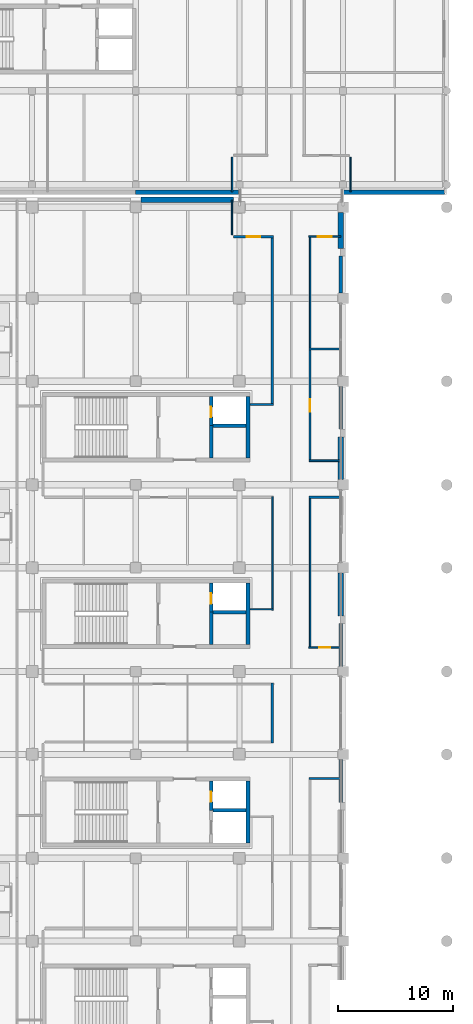
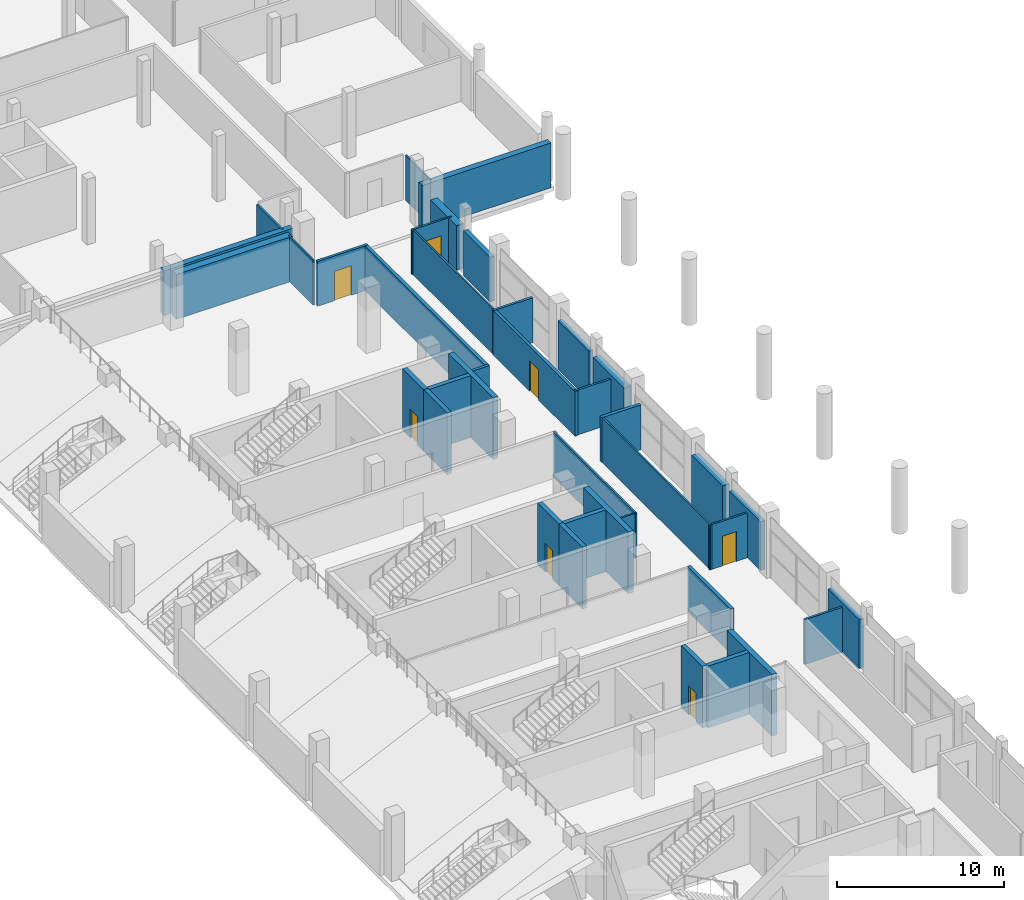
# One storey, part 65 of 100: 39 walls, 7 doors, 7 openings.
"""IFC4 building model written with IfcOpenShell, lengths in metres."""

from ifc_helpers import new_model, si_unit, direction, frame, frame_2d, origin, place, context, subcontext, project, spatial, rectangle, extrude, material, layer, layer_set, type_object, element, fill, save


model = new_model("IFC4")

# Units and contexts
model_context = context("Model", 3, precision=1e-05, world=origin(), true_north=direction((0.0, 1.0)))
body_context = subcontext(model_context, "Body", "Model", "MODEL_VIEW")
ifc_project = project(units=[si_unit("LENGTHUNIT", "METRE"), si_unit("AREAUNIT", "SQUARE_METRE"), si_unit("VOLUMEUNIT", "CUBIC_METRE"), si_unit("PLANEANGLEUNIT", "RADIAN"), si_unit("MASSUNIT", "GRAM", prefix="KILO"), si_unit("THERMODYNAMICTEMPERATUREUNIT", "KELVIN"), si_unit("POWERUNIT", "WATT")], contexts=[model_context])

# Site, building, storey
site_placement = place(None, origin())
site = spatial("IfcSite", under=ifc_project, at=site_placement, CompositionType="ELEMENT")
building_placement = place(site_placement, origin())
building = spatial("IfcBuilding", under=site, at=building_placement, Name="Sindhuravela Promenade Stadium", CompositionType="ELEMENT")
storey_placement = place(building_placement, frame((0.0, 0.0, 4.800048828125)))
storey = spatial("IfcBuildingStorey", under=building, at=storey_placement, Name="L01", CompositionType="ELEMENT", Elevation=4.800048828125)

# Walls
ifc_material_1 = material(Name="Terracotta clay brick masonry (15 MPa)", Category="masonry")
ifc_layer_1 = layer(ifc_material_1, 0.39990234375)
ifc_layer_set_1 = layer_set([ifc_layer_1], Name="Terracotta clay brick masonry (15 MPa)")
wall_type_1 = type_object("IfcWallType", Name="EX-WL-BRK400", PredefinedType="SOLIDWALL", material=ifc_layer_set_1)
wall_1_placement = place(storey_placement, frame((197.933349609375, 126.199951171875, 0.0), z_axis=(0.0, 0.0, 1.0), x_axis=(-1.0, 0.0, 0.0)))
element("IfcWall", 1, at=wall_1_placement, inside=storey, type_object=wall_type_1, Name="Exterior masonry wall EW03 Pavilion NE L01", PredefinedType="SOLIDWALL", context=body_context, shape_type="SweptSolid", body=[
    extrude(rectangle(XDim=8.933349609375, YDim=0.39990234375, at=frame_2d((4.466796875, 0.0))), origin(), (0.0, 0.0, 1.0), 3.280029296875),
])
ifc_layer_2 = layer(ifc_material_1, 0.419921875)
ifc_layer_set_2 = layer_set([ifc_layer_2], Name="Terracotta clay brick masonry (15 MPa)")
wall_type_2 = type_object("IfcWallType", Name="EX-WL-BRK420", PredefinedType="SOLIDWALL", material=ifc_layer_set_2)
wall_2_placement = place(storey_placement, frame((215.800048828125, 126.199951171875, 0.0), z_axis=(0.0, 0.0, 1.0), x_axis=(-1.0, 0.0, 0.0)))
element("IfcWall", 2, at=wall_2_placement, inside=storey, type_object=wall_type_2, Name="Exterior masonry wall EW02 Pavilion NE L01", PredefinedType="SOLIDWALL", context=body_context, shape_type="SweptSolid", body=[
    extrude(rectangle(XDim=8.933349609375, YDim=0.419921875, at=frame_2d((4.466796875, 0.0))), origin(), (0.0, 0.0, 1.0), 3.280029296875),
])
ifc_material_2 = material(Name="Dholpur sandstone ashlar (45 MPa)", Category="masonry")
ifc_layer_3 = layer(ifc_material_2, 0.2900390625)
ifc_layer_set_3 = layer_set([ifc_layer_3], Name="Dholpur sandstone ashlar (45 MPa)")
wall_type_3 = type_object("IfcWallType", Name="EX-WL-SND290", PredefinedType="SOLIDWALL", material=ifc_layer_set_3)
for number, where, z_axis, x_axis, name in (
    (3, (206.800048828125, 109.344970703125, 0.0), (0.0, 0.0, 1.0), (0.0, -1.0, 0.0), "Exterior masonry wall EW10 EAST L01"),
    (4, (206.800048828125, 76.945068359375, 0.0), (0.0, 0.0, 1.0), (0.0, -1.0, 0.0), "Exterior masonry wall EW10 EAST L01"),
):
    element("IfcWall", number, at=place(storey_placement, frame(where, z_axis=z_axis, x_axis=x_axis)), inside=storey, type_object=wall_type_3, Name=name, PredefinedType="SOLIDWALL", context=body_context, shape_type="SweptSolid", body=[
        extrude(rectangle(XDim=3.715087890625, YDim=0.2900390625, at=frame_2d((1.857421875, 0.0))), origin(), (0.0, 0.0, 1.0), 3.579833984375),
    ])
ifc_layer_4 = layer(ifc_material_2, 0.31005859375)
ifc_layer_set_4 = layer_set([ifc_layer_4], Name="Dholpur sandstone ashlar (45 MPa)")
wall_type_4 = type_object("IfcWallType", Name="EX-WL-SND310", PredefinedType="SOLIDWALL", material=ifc_layer_set_4)
wall_3_placement = place(storey_placement, frame((206.800048828125, 120.669921875, 0.0), z_axis=(0.0, 0.0, 1.0), x_axis=(0.0, -1.0, 0.0)))
element("IfcWall", 5, at=wall_3_placement, inside=storey, type_object=wall_type_4, Name="Exterior masonry wall EW09 EAST L01", PredefinedType="SOLIDWALL", context=body_context, shape_type="SweptSolid", body=[
    extrude(rectangle(XDim=3.21484375, YDim=0.31005859375, at=frame_2d((1.607421875, 0.0))), origin(), (0.0, 0.0, 1.0), 3.280029296875),
])
wall_4_placement = place(storey_placement, frame((206.800048828125, 88.77001953125, 0.0), z_axis=(0.0, 0.0, 1.0), x_axis=(0.0, -1.0, 0.0)))
element("IfcWall", 6, at=wall_4_placement, inside=storey, type_object=wall_type_4, Name="Exterior masonry wall EW09 EAST L01", PredefinedType="SOLIDWALL", context=body_context, shape_type="SweptSolid", body=[
    extrude(rectangle(XDim=3.715087890625, YDim=0.31005859375, at=frame_2d((1.857421875, 0.0))), origin(), (0.0, 0.0, 1.0), 3.579833984375),
])
ifc_layer_5 = layer(ifc_material_2, 0.47998046875)
ifc_layer_set_5 = layer_set([ifc_layer_5], Name="Dholpur sandstone ashlar (45 MPa)")
wall_type_5 = type_object("IfcWallType", Name="EX-WL-SND480", PredefinedType="SOLIDWALL", material=ifc_layer_set_5)
wall_5_placement = place(storey_placement, frame((206.800048828125, 124.445068359375, 0.0), z_axis=(0.0, 0.0, 1.0), x_axis=(0.0, -1.0, 0.0)))
element("IfcWall", 7, at=wall_5_placement, inside=storey, type_object=wall_type_5, Name="Exterior masonry wall EW08 EAST L01", PredefinedType="SOLIDWALL", context=body_context, shape_type="SweptSolid", body=[
    extrude(rectangle(XDim=3.114990234375, YDim=0.47998046875, at=frame_2d((1.5576171875, 0.0))), origin(), (0.0, 0.0, 1.0), 3.280029296875),
])
wall_6_placement = place(storey_placement, frame((206.800048828125, 93.14501953125, 0.0), z_axis=(0.0, 0.0, 1.0), x_axis=(0.0, -1.0, 0.0)))
element("IfcWall", 8, at=wall_6_placement, inside=storey, type_object=wall_type_5, Name="Exterior masonry wall EW08 EAST L01", PredefinedType="SOLIDWALL", context=body_context, shape_type="SweptSolid", body=[
    extrude(rectangle(XDim=3.715087890625, YDim=0.47998046875, at=frame_2d((1.857421875, 0.0))), origin(), (0.0, 0.0, 1.0), 3.579833984375),
])
ifc_layer_6 = layer(ifc_material_2, 0.5)
ifc_layer_set_6 = layer_set([ifc_layer_6], Name="Dholpur sandstone ashlar (45 MPa)")
wall_type_6 = type_object("IfcWallType", Name="EX-WL-SND500", PredefinedType="SOLIDWALL", material=ifc_layer_set_6)
wall_7_placement = place(storey_placement, frame((189.455078125, 125.550048828125, 0.0), z_axis=(0.0, 0.0, 1.0), x_axis=(1.0, 0.0, 0.0)))
element("IfcWall", 9, at=wall_7_placement, inside=storey, type_object=wall_type_6, Name="Exterior masonry wall EW07 EAST L01", PredefinedType="SOLIDWALL", context=body_context, shape_type="SweptSolid", body=[
    extrude(rectangle(XDim=8.0400390625, YDim=0.5, at=frame_2d((4.02001953125, 0.0))), origin(), (0.0, 0.0, 1.0), 3.280029296875),
])
wall_8_placement = place(storey_placement, frame((206.800048828125, 104.969970703125, 0.0), z_axis=(0.0, 0.0, 1.0), x_axis=(0.0, -1.0, 0.0)))
element("IfcWall", 10, at=wall_8_placement, inside=storey, type_object=wall_type_6, Name="Exterior masonry wall EW07 EAST L01", PredefinedType="SOLIDWALL", context=body_context, shape_type="SweptSolid", body=[
    extrude(rectangle(XDim=3.715087890625, YDim=0.5, at=frame_2d((1.857421875, 0.0))), origin(), (0.0, 0.0, 1.0), 3.579833984375),
])
ifc_material_3 = material(Name="Fire-rated gypsum partition board", Category="gypsum")
ifc_layer_7 = layer(ifc_material_3, 0.110107421875)
ifc_layer_set_7 = layer_set([ifc_layer_7], Name="Fire-rated gypsum partition board")
wall_type_7 = type_object("IfcWallType", Name="IN-WL-PAR110", PredefinedType="PARTITIONING", material=ifc_layer_set_7)
wall_9_placement = place(storey_placement, frame((197.360107421875, 125.510009765625, 0.0), z_axis=(0.0, 0.0, 1.0), x_axis=(0.0, -1.0, 0.0)))
element("IfcWall", 11, at=wall_9_placement, inside=storey, type_object=wall_type_7, Name="Interior partition IW06 EAST L01", PredefinedType="PARTITIONING", context=body_context, shape_type="SweptSolid", body=[
    extrude(rectangle(XDim=3.010009765625, YDim=0.110107421875, at=frame_2d((1.5048828125, 0.0))), origin(), (0.0, 0.0, 1.0), 3.280029296875),
])
wall_10_placement = place(storey_placement, frame((200.93994140625, 90.006103515625, 0.0), z_axis=(0.0, 0.0, 1.0), x_axis=(-1.0, 0.0, 0.0)))
element("IfcWall", 12, at=wall_10_placement, inside=storey, type_object=wall_type_7, Name="Interior partition IW06 EAST L01", PredefinedType="PARTITIONING", context=body_context, shape_type="SweptSolid", body=[
    extrude(rectangle(XDim=2.012939453125, YDim=0.110107421875, at=frame_2d((1.00634765625, 0.0))), origin(), (0.0, 0.0, 1.0), 3.280029296875),
])
wall_11_placement = place(storey_placement, frame((204.139892578125, 86.610107421875, 0.0), z_axis=(0.0, 0.0, 1.0), x_axis=(0.0, 1.0, 0.0)))
element("IfcWall", 13, at=wall_11_placement, inside=storey, type_object=wall_type_7, Name="Interior partition IW06 EAST L01", PredefinedType="PARTITIONING", context=body_context, shape_type="SweptSolid", body=[
    extrude(rectangle(XDim=13.179931640625, YDim=0.110107421875, at=frame_2d((6.58984375, 0.0))), origin(), (0.0, 0.0, 1.0), 3.280029296875),
])
wall_12_placement = place(storey_placement, frame((204.139892578125, 112.655029296875, 0.0), z_axis=(0.0, 0.0, 1.0), x_axis=(0.0, 1.0, 0.0)))
element("IfcWall", 14, at=wall_12_placement, inside=storey, type_object=wall_type_7, Name="Interior partition IW06 EAST L01", PredefinedType="PARTITIONING", context=body_context, shape_type="SweptSolid", body=[
    extrude(rectangle(XDim=9.764892578125, YDim=0.110107421875, at=frame_2d((4.88232421875, 0.0))), origin(), (0.0, 0.0, 1.0), 3.280029296875),
])
wall_13_placement = place(storey_placement, frame((207.639892578125, 126.239990234375, 0.0), z_axis=(0.0, 0.0, 1.0), x_axis=(0.0, 1.0, 0.0)))
element("IfcWall", 15, at=wall_13_placement, inside=storey, type_object=wall_type_7, Name="Interior partition IW06 Pavilion NE L01", PredefinedType="PARTITIONING", context=body_context, shape_type="SweptSolid", body=[
    extrude(rectangle(XDim=3.010009765625, YDim=0.110107421875, at=frame_2d((1.5048828125, 0.0))), origin(), (0.0, 0.0, 1.0), 3.280029296875),
])
ifc_layer_8 = layer(ifc_material_3, 0.1298828125)
ifc_layer_set_8 = layer_set([ifc_layer_8], Name="Fire-rated gypsum partition board")
wall_type_8 = type_object("IfcWallType", Name="IN-WL-PAR130", PredefinedType="PARTITIONING", material=ifc_layer_set_8)
wall_14_placement = place(storey_placement, frame((200.860107421875, 99.7900390625, 0.0), z_axis=(0.0, 0.0, 1.0), x_axis=(0.0, -1.0, 0.0)))
element("IfcWall", 16, at=wall_14_placement, inside=storey, type_object=wall_type_8, Name="Interior partition IW05 EAST L01", PredefinedType="PARTITIONING", context=body_context, shape_type="SweptSolid", body=[
    extrude(rectangle(XDim=9.864013671875, YDim=0.1298828125, at=frame_2d((4.93212890625, 0.0))), origin(), (0.0, 0.0, 1.0), 3.280029296875),
])

# Wall, opening, door
wall_15_placement = place(storey_placement, frame((204.02001953125, 86.68994140625, 0.0), z_axis=(0.0, 0.0, 1.0), x_axis=(1.0, 0.0, 0.0)))
wall_15 = element("IfcWall", 17, at=wall_15_placement, inside=storey, type_object=wall_type_8, Name="Corridor partition IW05 Accessible WC East L01", PredefinedType="PARTITIONING", context=body_context, shape_type="SweptSolid", body=[
    extrude(rectangle(XDim=2.780029296875, YDim=0.1298828125, at=frame_2d((1.39013671875, 0.0))), origin(), (0.0, 0.0, 1.0), 3.280029296875),
])
opening_1_placement = place(wall_15_placement, frame((0.9150390625, 0.0, 0.0)))
opening_1 = element("IfcOpeningElement", 18, at=opening_1_placement, cuts=wall_15, Name="Opening ID10", PredefinedType="OPENING", context=body_context, shape_type="SweptSolid", body=[
    extrude(rectangle(XDim=0.949951171875, YDim=2.179931640625, at=frame_2d((0.47509765625, 1.08984375))), frame((0.0, 0.074951171875, 0.0), z_axis=(0.0, -1.0, 0.0), x_axis=(1.0, 0.0, 0.0)), (0.0, 0.0, 1.0), 0.14990234375),
])
ifc_material_4 = material(Name="Architectural teak timber leaf", Category="wood")
door_type_1 = type_object("IfcDoorType", Name="DR-INT-950x2180", OperationType="NOTDEFINED", PredefinedType="DOOR", material=ifc_material_4)
door_1_placement = place(opening_1_placement, origin())
door_1 = element("IfcDoor", 19, at=door_1_placement, inside=storey, type_object=door_type_1, Name="Accessible WC East L01 door", OperationType="SINGLE_SWING_LEFT", OverallHeight=2.179931640625, OverallWidth=0.949951171875, PredefinedType="DOOR", context=body_context, shape_type="SweptSolid", body=[
    extrude(rectangle(XDim=0.949951171875, YDim=2.179931640625, at=frame_2d((0.47509765625, 1.08984375))), frame((0.0, 0.02490234375, 0.0), z_axis=(0.0, -1.0, 0.0), x_axis=(1.0, 0.0, 0.0)), (0.0, 0.0, 1.0), 0.050048828125),
])
fill(opening_1, door_1)

wall_16_placement = place(storey_placement, frame((206.800048828125, 122.340087890625, 0.0), z_axis=(0.0, 0.0, 1.0), x_axis=(-1.0, 0.0, 0.0)))
wall_16 = element("IfcWall", 20, at=wall_16_placement, inside=storey, type_object=wall_type_8, Name="Corridor partition IW05 Promenade Upper Cafe Veranda 4", PredefinedType="PARTITIONING", context=body_context, shape_type="SweptSolid", body=[
    extrude(rectangle(XDim=2.780029296875, YDim=0.1298828125, at=frame_2d((1.39013671875, 0.0))), origin(), (0.0, 0.0, 1.0), 3.280029296875),
])
opening_2_placement = place(wall_16_placement, frame((0.764892578125, 0.0, 0.0)))
opening_2 = element("IfcOpeningElement", 21, at=opening_2_placement, cuts=wall_16, Name="Opening ID04", PredefinedType="OPENING", context=body_context, shape_type="SweptSolid", body=[
    extrude(rectangle(XDim=1.25, YDim=2.14990234375, at=frame_2d((0.625, 1.074951171875))), frame((0.0, 0.074951171875, 0.0), z_axis=(0.0, -1.0, 0.0), x_axis=(1.0, 0.0, 0.0)), (0.0, 0.0, 1.0), 0.14990234375),
])
door_type_2 = type_object("IfcDoorType", Name="DR-INT-1250x2150", OperationType="NOTDEFINED", PredefinedType="DOOR", material=ifc_material_4)
door_2_placement = place(opening_2_placement, origin())
door_2 = element("IfcDoor", 22, at=door_2_placement, inside=storey, type_object=door_type_2, Name="Promenade Upper Cafe Veranda 4 door", OperationType="SINGLE_SWING_LEFT", OverallHeight=2.14990234375, OverallWidth=1.25, PredefinedType="DOOR", context=body_context, shape_type="SweptSolid", body=[
    extrude(rectangle(XDim=1.25, YDim=2.14990234375, at=frame_2d((0.625, 1.074951171875))), frame((0.0, 0.02490234375, 0.0), z_axis=(0.0, -1.0, 0.0), x_axis=(1.0, 0.0, 0.0)), (0.0, 0.0, 1.0), 0.050048828125),
])
fill(opening_2, door_2)

# Walls
wall_17_placement = place(storey_placement, frame((197.360107421875, 129.25, 0.0), z_axis=(0.0, 0.0, 1.0), x_axis=(0.0, -1.0, 0.0)))
element("IfcWall", 23, at=wall_17_placement, inside=storey, type_object=wall_type_8, Name="Interior partition IW05 Pavilion NE L01", PredefinedType="PARTITIONING", context=body_context, shape_type="SweptSolid", body=[
    extrude(rectangle(XDim=3.010009765625, YDim=0.1298828125, at=frame_2d((1.5048828125, 0.0))), origin(), (0.0, 0.0, 1.0), 3.280029296875),
])
ifc_layer_9 = layer(ifc_material_3, 0.14990234375)
ifc_layer_set_9 = layer_set([ifc_layer_9], Name="Fire-rated gypsum partition board")
wall_type_9 = type_object("IfcWallType", Name="IN-WL-PAR150", PredefinedType="PARTITIONING", material=ifc_layer_set_9)
for number, where, z_axis, x_axis, name in (
    (24, (204.06005859375, 75.31005859375, 0.0), (0.0, 0.0, 1.0), (1.0, 0.0, 0.0), "Interior partition IW04 EAST L01"),
    (25, (206.760009765625, 102.889892578125, 0.0), (0.0, 0.0, 1.0), (-1.0, 0.0, 0.0), "Interior partition IW04 EAST L01"),
):
    element("IfcWall", number, at=place(storey_placement, frame(where, z_axis=z_axis, x_axis=x_axis)), inside=storey, type_object=wall_type_9, Name=name, PredefinedType="PARTITIONING", context=body_context, shape_type="SweptSolid", body=[
        extrude(rectangle(XDim=2.699951171875, YDim=0.14990234375, at=frame_2d((1.35009765625, 0.0))), origin(), (0.0, 0.0, 1.0), 3.280029296875),
    ])

# Wall, opening, door
ifc_layer_10 = layer(ifc_material_3, 0.175048828125)
ifc_layer_set_10 = layer_set([ifc_layer_10], Name="Fire-rated gypsum partition board")
wall_type_10 = type_object("IfcWallType", Name="IN-WL-PAR175", PredefinedType="PARTITIONING", material=ifc_layer_set_10)
wall_18_placement = place(storey_placement, frame((200.97998046875, 122.340087890625, 0.0), z_axis=(0.0, 0.0, 1.0), x_axis=(-1.0, 0.0, 0.0)))
wall_18 = element("IfcWall", 26, at=wall_18_placement, inside=storey, type_object=wall_type_10, Name="Corridor partition IW03 Sports Museum Main Exhibition Hall", PredefinedType="PARTITIONING", context=body_context, shape_type="SweptSolid", body=[
    extrude(rectangle(XDim=3.5, YDim=0.175048828125, at=frame_2d((1.75, 0.0))), origin(), (0.0, 0.0, 1.0), 3.280029296875),
])
opening_3_placement = place(wall_18_placement, frame((1.175048828125, 0.0, 0.0)))
opening_3 = element("IfcOpeningElement", 27, at=opening_3_placement, cuts=wall_18, Name="Opening ID05", PredefinedType="OPENING", context=body_context, shape_type="SweptSolid", body=[
    extrude(rectangle(XDim=1.14990234375, YDim=2.14990234375, at=frame_2d((0.574951171875, 1.074951171875))), frame((0.0, 0.097412109375, 0.0), z_axis=(0.0, -1.0, 0.0), x_axis=(1.0, 0.0, 0.0)), (0.0, 0.0, 1.0), 0.195068359375),
])
door_type_3 = type_object("IfcDoorType", Name="DR-INT-1150x2150", OperationType="NOTDEFINED", PredefinedType="DOOR", material=ifc_material_4)
door_3_placement = place(opening_3_placement, origin())
door_3 = element("IfcDoor", 28, at=door_3_placement, inside=storey, type_object=door_type_3, Name="Sports Museum Main Exhibition Hall door", OperationType="SINGLE_SWING_LEFT", OverallHeight=2.14990234375, OverallWidth=1.14990234375, PredefinedType="DOOR", context=body_context, shape_type="SweptSolid", body=[
    extrude(rectangle(XDim=1.14990234375, YDim=2.14990234375, at=frame_2d((0.574951171875, 1.074951171875))), frame((0.0, 0.02490234375, 0.0), z_axis=(0.0, -1.0, 0.0), x_axis=(1.0, 0.0, 0.0)), (0.0, 0.0, 1.0), 0.050048828125),
])
fill(opening_3, door_3)

# Walls
wall_19_placement = place(storey_placement, frame((204.06005859375, 112.614990234375, 0.0), z_axis=(0.0, 0.0, 1.0), x_axis=(1.0, 0.0, 0.0)))
element("IfcWall", 29, at=wall_19_placement, inside=storey, type_object=wall_type_10, Name="Interior partition IW03 EAST L01", PredefinedType="PARTITIONING", context=body_context, shape_type="SweptSolid", body=[
    extrude(rectangle(XDim=2.70703125, YDim=0.175048828125, at=frame_2d((1.353515625, 0.0))), origin(), (0.0, 0.0, 1.0), 3.280029296875),
])
ifc_layer_11 = layer(ifc_material_3, 0.195068359375)
ifc_layer_set_11 = layer_set([ifc_layer_11], Name="Fire-rated gypsum partition board")
wall_type_11 = type_object("IfcWallType", Name="IN-WL-PAR195", PredefinedType="PARTITIONING", material=ifc_layer_set_11)
wall_20_placement = place(storey_placement, frame((200.93994140625, 107.778076171875, 0.0), z_axis=(0.0, 0.0, 1.0), x_axis=(-1.0, 0.0, 0.0)))
element("IfcWall", 30, at=wall_20_placement, inside=storey, type_object=wall_type_11, Name="Interior partition IW02 EAST L01", PredefinedType="PARTITIONING", context=body_context, shape_type="SweptSolid", body=[
    extrude(rectangle(XDim=2.012939453125, YDim=0.195068359375, at=frame_2d((1.00634765625, 0.0))), origin(), (0.0, 0.0, 1.0), 3.280029296875),
])

# Wall, opening, door
wall_21_placement = place(storey_placement, frame((204.139892578125, 112.614990234375, 0.0), z_axis=(0.0, 0.0, 1.0), x_axis=(0.0, -1.0, 0.0)))
wall_21 = element("IfcWall", 31, at=wall_21_placement, inside=storey, type_object=wall_type_11, Name="Corridor partition IW02 Supporters Hall East 3", PredefinedType="PARTITIONING", context=body_context, shape_type="SweptSolid", body=[
    extrude(rectangle(XDim=9.844970703125, YDim=0.195068359375, at=frame_2d((4.92236328125, 0.0))), origin(), (0.0, 0.0, 1.0), 3.280029296875),
])
opening_4_placement = place(wall_21_placement, frame((4.362548828125, 0.0, 0.0)))
opening_4 = element("IfcOpeningElement", 32, at=opening_4_placement, cuts=wall_21, Name="Opening ID13", PredefinedType="OPENING", context=body_context, shape_type="SweptSolid", body=[
    extrude(rectangle(XDim=1.1201171875, YDim=2.219970703125, at=frame_2d((0.56005859375, 1.10986328125))), frame((0.0, 0.107421875, 0.0), z_axis=(0.0, -1.0, 0.0), x_axis=(1.0, 0.0, 0.0)), (0.0, 0.0, 1.0), 0.215087890625),
])
door_type_4 = type_object("IfcDoorType", Name="DR-INT-1120x2220", OperationType="NOTDEFINED", PredefinedType="DOOR", material=ifc_material_4)
door_4_placement = place(opening_4_placement, origin())
door_4 = element("IfcDoor", 33, at=door_4_placement, inside=storey, type_object=door_type_4, Name="Supporters Hall East 3 door", OperationType="SINGLE_SWING_RIGHT", OverallHeight=2.219970703125, OverallWidth=1.1201171875, PredefinedType="DOOR", context=body_context, shape_type="SweptSolid", body=[
    extrude(rectangle(XDim=1.1201171875, YDim=2.219970703125, at=frame_2d((0.56005859375, 1.10986328125))), frame((0.0, 0.02490234375, 0.0), z_axis=(0.0, -1.0, 0.0), x_axis=(1.0, 0.0, 0.0)), (0.0, 0.0, 1.0), 0.050048828125),
])
fill(opening_4, door_4)

# Walls
ifc_layer_12 = layer(ifc_material_3, 0.219970703125)
ifc_layer_set_12 = layer_set([ifc_layer_12], Name="Fire-rated gypsum partition board")
wall_type_12 = type_object("IfcWallType", Name="IN-WL-PAR220", PredefinedType="PARTITIONING", material=ifc_layer_set_12)
wall_22_placement = place(storey_placement, frame((200.860107421875, 122.419921875, 0.0), z_axis=(0.0, 0.0, 1.0), x_axis=(0.0, -1.0, 0.0)))
element("IfcWall", 34, at=wall_22_placement, inside=storey, type_object=wall_type_12, Name="Interior partition IW01 EAST L01", PredefinedType="PARTITIONING", context=body_context, shape_type="SweptSolid", body=[
    extrude(rectangle(XDim=14.721923828125, YDim=0.219970703125, at=frame_2d((7.36083984375, 0.0))), origin(), (0.0, 0.0, 1.0), 3.280029296875),
])
wall_23_placement = place(storey_placement, frame((200.860107421875, 83.590087890625, 0.0), z_axis=(0.0, 0.0, 1.0), x_axis=(0.0, -1.0, 0.0)))
element("IfcWall", 35, at=wall_23_placement, inside=storey, type_object=wall_type_12, Name="Interior partition IW01 EAST L01", PredefinedType="PARTITIONING", context=body_context, shape_type="SweptSolid", body=[
    extrude(rectangle(XDim=5.18017578125, YDim=0.219970703125, at=frame_2d((2.590087890625, 0.0))), origin(), (0.0, 0.0, 1.0), 3.280029296875),
])
wall_24_placement = place(storey_placement, frame((204.06005859375, 99.7099609375, 0.0), z_axis=(0.0, 0.0, 1.0), x_axis=(1.0, 0.0, 0.0)))
element("IfcWall", 36, at=wall_24_placement, inside=storey, type_object=wall_type_12, Name="Interior partition IW01 EAST L01", PredefinedType="PARTITIONING", context=body_context, shape_type="SweptSolid", body=[
    extrude(rectangle(XDim=2.70703125, YDim=0.219970703125, at=frame_2d((1.353515625, 0.0))), origin(), (0.0, 0.0, 1.0), 3.280029296875),
])

# Wall, opening, door
ifc_material_5 = material(Name="Concrete M50", Category="concrete")
ifc_layer_13 = layer(ifc_material_5, 0.300048828125)
ifc_layer_set_13 = layer_set([ifc_layer_13], Name="Concrete M50")
wall_type_13 = type_object("IfcWallType", Name="RC-SW-300", PredefinedType="SHEAR", material=ifc_layer_set_13)
wall_25_placement = place(storey_placement, frame((195.550048828125, 72.550048828125, 0.0), z_axis=(0.0, 0.0, 1.0), x_axis=(0.0, 1.0, 0.0)))
wall_25 = element("IfcWall", 37, at=wall_25_placement, inside=storey, type_object=wall_type_13, Name="Core shear wall C06-RSR (L01)", PredefinedType="SHEAR", context=body_context, shape_type="SweptSolid", body=[
    extrude(rectangle(XDim=2.52490234375, YDim=0.300048828125, at=frame_2d((1.262451171875, 0.0))), origin(), (0.0, 0.0, 1.0), 4.52001953125),
])
opening_5_placement = place(wall_25_placement, frame((0.72509765625, 0.0, 0.0)))
opening_5 = element("IfcOpeningElement", 38, at=opening_5_placement, cuts=wall_25, Name="Opening FD03", PredefinedType="OPENING", context=body_context, shape_type="SweptSolid", body=[
    extrude(rectangle(XDim=0.89990234375, YDim=2.10009765625, at=frame_2d((0.449951171875, 1.050048828125))), frame((0.0, 0.159912109375, 0.0), z_axis=(0.0, -1.0, 0.0), x_axis=(1.0, 0.0, 0.0)), (0.0, 0.0, 1.0), 0.320068359375),
])
ifc_material_6 = material(Name="Architectural wrought steel E350", Category="steel")
door_type_5 = type_object("IfcDoorType", Name="DR-RSR-900x2100", OperationType="NOTDEFINED", PredefinedType="DOOR", material=ifc_material_6)
door_5_placement = place(opening_5_placement, origin())
door_5 = element("IfcDoor", 39, at=door_5_placement, inside=storey, type_object=door_type_5, Name="Riser shaft access door C06 (L01)", OperationType="SINGLE_SWING_RIGHT", OverallHeight=2.10009765625, OverallWidth=0.89990234375, PredefinedType="DOOR", context=body_context, shape_type="SweptSolid", body=[
    extrude(rectangle(XDim=0.89990234375, YDim=2.10009765625, at=frame_2d((0.449951171875, 1.050048828125))), frame((0.0, 0.02490234375, 0.0), z_axis=(0.0, -1.0, 0.0), x_axis=(1.0, 0.0, 0.0)), (0.0, 0.0, 1.0), 0.050048828125),
])
fill(opening_5, door_5)

# Walls
wall_26_placement = place(storey_placement, frame((195.699951171875, 72.550048828125, 0.0), z_axis=(0.0, 0.0, 1.0), x_axis=(1.0, 0.0, 0.0)))
element("IfcWall", 40, at=wall_26_placement, inside=storey, type_object=wall_type_13, Name="Core shear wall C06-DIV (L01)", PredefinedType="SHEAR", context=body_context, shape_type="SweptSolid", body=[
    extrude(rectangle(XDim=2.875, YDim=0.300048828125, at=frame_2d((1.4375, 0.0))), origin(), (0.0, 0.0, 1.0), 4.52001953125),
])
wall_27_placement = place(storey_placement, frame((195.550048828125, 86.925048828125, 0.0), z_axis=(0.0, 0.0, 1.0), x_axis=(0.0, 1.0, 0.0)))
element("IfcWall", 41, at=wall_27_placement, inside=storey, type_object=wall_type_13, Name="Core shear wall C07-LFT (L01)", PredefinedType="SHEAR", context=body_context, shape_type="SweptSolid", body=[
    extrude(rectangle(XDim=2.824951171875, YDim=0.300048828125, at=frame_2d((1.41259765625, 0.0))), origin(), (0.0, 0.0, 1.0), 4.52001953125),
])

# Wall, opening, door
wall_28_placement = place(storey_placement, frame((195.550048828125, 89.75, 0.0), z_axis=(0.0, 0.0, 1.0), x_axis=(0.0, 1.0, 0.0)))
wall_28 = element("IfcWall", 42, at=wall_28_placement, inside=storey, type_object=wall_type_13, Name="Core shear wall C07-RSR (L01)", PredefinedType="SHEAR", context=body_context, shape_type="SweptSolid", body=[
    extrude(rectangle(XDim=2.52490234375, YDim=0.300048828125, at=frame_2d((1.262451171875, 0.0))), origin(), (0.0, 0.0, 1.0), 4.52001953125),
])
opening_6_placement = place(wall_28_placement, frame((0.72509765625, 0.0, 0.0)))
opening_6 = element("IfcOpeningElement", 43, at=opening_6_placement, cuts=wall_28, Name="Opening FD03", PredefinedType="OPENING", context=body_context, shape_type="SweptSolid", body=[
    extrude(rectangle(XDim=0.89990234375, YDim=2.10009765625, at=frame_2d((0.449951171875, 1.050048828125))), frame((0.0, 0.159912109375, 0.0), z_axis=(0.0, -1.0, 0.0), x_axis=(1.0, 0.0, 0.0)), (0.0, 0.0, 1.0), 0.320068359375),
])
door_6_placement = place(opening_6_placement, origin())
door_6 = element("IfcDoor", 44, at=door_6_placement, inside=storey, type_object=door_type_5, Name="Riser shaft access door C07 (L01)", OperationType="SINGLE_SWING_RIGHT", OverallHeight=2.10009765625, OverallWidth=0.89990234375, PredefinedType="DOOR", context=body_context, shape_type="SweptSolid", body=[
    extrude(rectangle(XDim=0.89990234375, YDim=2.10009765625, at=frame_2d((0.449951171875, 1.050048828125))), frame((0.0, 0.02490234375, 0.0), z_axis=(0.0, -1.0, 0.0), x_axis=(1.0, 0.0, 0.0)), (0.0, 0.0, 1.0), 0.050048828125),
])
fill(opening_6, door_6)

# Walls
wall_29_placement = place(storey_placement, frame((195.699951171875, 89.75, 0.0), z_axis=(0.0, 0.0, 1.0), x_axis=(1.0, 0.0, 0.0)))
element("IfcWall", 45, at=wall_29_placement, inside=storey, type_object=wall_type_13, Name="Core shear wall C07-DIV (L01)", PredefinedType="SHEAR", context=body_context, shape_type="SweptSolid", body=[
    extrude(rectangle(XDim=2.875, YDim=0.300048828125, at=frame_2d((1.4375, 0.0))), origin(), (0.0, 0.0, 1.0), 4.52001953125),
])
wall_30_placement = place(storey_placement, frame((195.550048828125, 103.125, 0.0), z_axis=(0.0, 0.0, 1.0), x_axis=(0.0, 1.0, 0.0)))
element("IfcWall", 46, at=wall_30_placement, inside=storey, type_object=wall_type_13, Name="Core shear wall C08-LFT (L01)", PredefinedType="SHEAR", context=body_context, shape_type="SweptSolid", body=[
    extrude(rectangle(XDim=2.824951171875, YDim=0.300048828125, at=frame_2d((1.41259765625, 0.0))), origin(), (0.0, 0.0, 1.0), 4.52001953125),
])

# Wall, opening, door
wall_31_placement = place(storey_placement, frame((195.550048828125, 105.949951171875, 0.0), z_axis=(0.0, 0.0, 1.0), x_axis=(0.0, 1.0, 0.0)))
wall_31 = element("IfcWall", 47, at=wall_31_placement, inside=storey, type_object=wall_type_13, Name="Core shear wall C08-RSR (L01)", PredefinedType="SHEAR", context=body_context, shape_type="SweptSolid", body=[
    extrude(rectangle(XDim=2.525146484375, YDim=0.300048828125, at=frame_2d((1.2626953125, 0.0))), origin(), (0.0, 0.0, 1.0), 4.52001953125),
])
opening_7_placement = place(wall_31_placement, frame((0.72509765625, 0.0, 0.0)))
opening_7 = element("IfcOpeningElement", 48, at=opening_7_placement, cuts=wall_31, Name="Opening FD03", PredefinedType="OPENING", context=body_context, shape_type="SweptSolid", body=[
    extrude(rectangle(XDim=0.89990234375, YDim=2.10009765625, at=frame_2d((0.449951171875, 1.050048828125))), frame((0.0, 0.159912109375, 0.0), z_axis=(0.0, -1.0, 0.0), x_axis=(1.0, 0.0, 0.0)), (0.0, 0.0, 1.0), 0.320068359375),
])
door_7_placement = place(opening_7_placement, origin())
door_7 = element("IfcDoor", 49, at=door_7_placement, inside=storey, type_object=door_type_5, Name="Riser shaft access door C08 (L01)", OperationType="SINGLE_SWING_RIGHT", OverallHeight=2.10009765625, OverallWidth=0.89990234375, PredefinedType="DOOR", context=body_context, shape_type="SweptSolid", body=[
    extrude(rectangle(XDim=0.89990234375, YDim=2.10009765625, at=frame_2d((0.449951171875, 1.050048828125))), frame((0.0, 0.02490234375, 0.0), z_axis=(0.0, -1.0, 0.0), x_axis=(1.0, 0.0, 0.0)), (0.0, 0.0, 1.0), 0.050048828125),
])
fill(opening_7, door_7)

# Walls
wall_32_placement = place(storey_placement, frame((195.699951171875, 105.949951171875, 0.0), z_axis=(0.0, 0.0, 1.0), x_axis=(1.0, 0.0, 0.0)))
element("IfcWall", 50, at=wall_32_placement, inside=storey, type_object=wall_type_13, Name="Core shear wall C08-DIV (L01)", PredefinedType="SHEAR", context=body_context, shape_type="SweptSolid", body=[
    extrude(rectangle(XDim=2.875, YDim=0.300048828125, at=frame_2d((1.4375, 0.0))), origin(), (0.0, 0.0, 1.0), 4.52001953125),
])
ifc_layer_14 = layer(ifc_material_5, 0.35009765625)
ifc_layer_set_14 = layer_set([ifc_layer_14], Name="Concrete M50")
wall_type_14 = type_object("IfcWallType", Name="RC-SW-350", PredefinedType="SHEAR", material=ifc_layer_set_14)
for number, where, z_axis, x_axis, name in (
    (51, (198.75, 69.72509765625, 0.0), (0.0, 0.0, 1.0), (0.0, 1.0, 0.0), "Core shear wall C06-E (L01)"),
    (52, (198.75, 86.925048828125, 0.0), (0.0, 0.0, 1.0), (0.0, 1.0, 0.0), "Core shear wall C07-E (L01)"),
):
    element("IfcWall", number, at=place(storey_placement, frame(where, z_axis=z_axis, x_axis=x_axis)), inside=storey, type_object=wall_type_14, Name=name, PredefinedType="SHEAR", context=body_context, shape_type="SweptSolid", body=[
        extrude(rectangle(XDim=5.349853515625, YDim=0.35009765625, at=frame_2d((2.6748046875, 0.0))), origin(), (0.0, 0.0, 1.0), 4.52001953125),
    ])
wall_33_placement = place(storey_placement, frame((198.75, 103.125, 0.0), z_axis=(0.0, 0.0, 1.0), x_axis=(0.0, 1.0, 0.0)))
element("IfcWall", 53, at=wall_33_placement, inside=storey, type_object=wall_type_14, Name="Core shear wall C08-E (L01)", PredefinedType="SHEAR", context=body_context, shape_type="SweptSolid", body=[
    extrude(rectangle(XDim=5.35009765625, YDim=0.35009765625, at=frame_2d((2.675048828125, 0.0))), origin(), (0.0, 0.0, 1.0), 4.52001953125),
])

save(model, "model.ifc")
